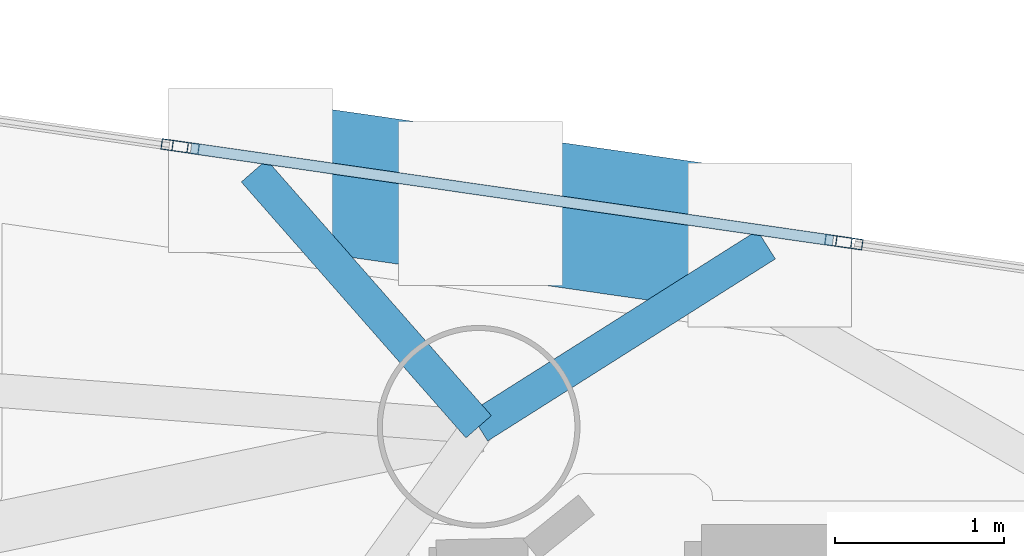
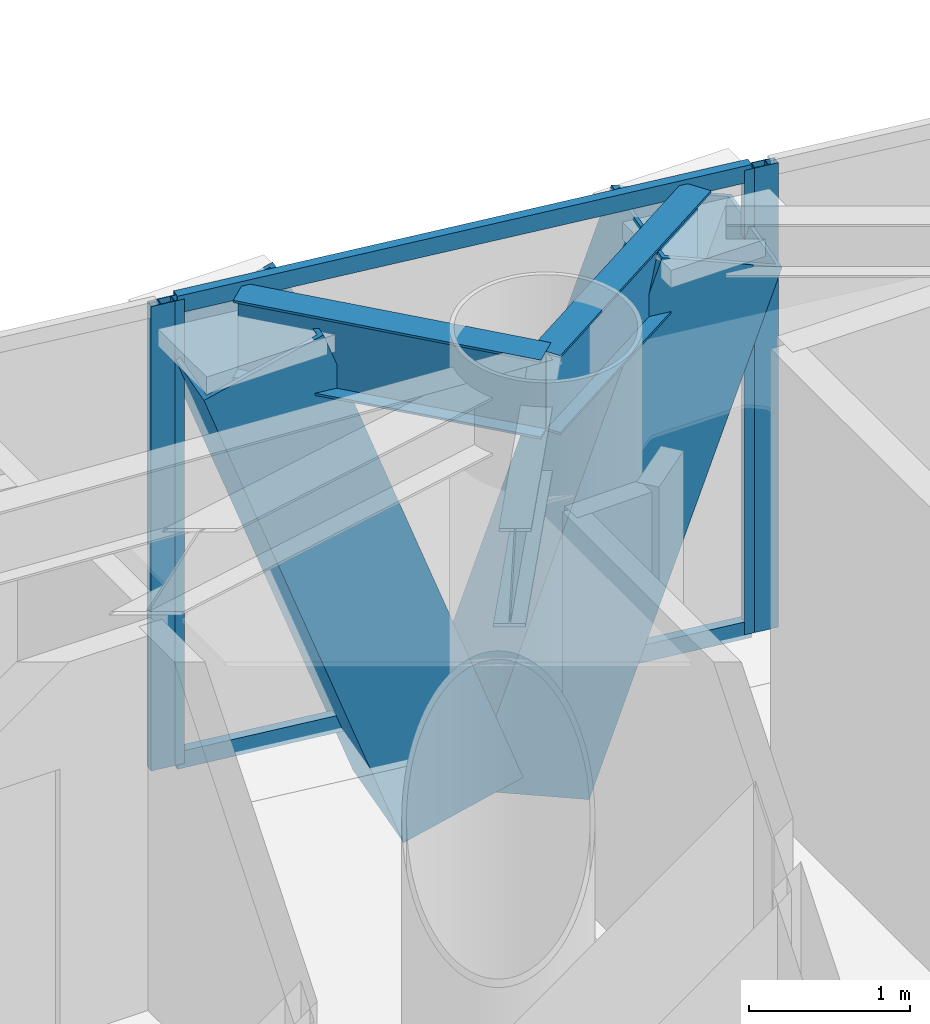
# One storey, part 13 of 23: 8 members, 2 beams, 3 elements without a shape of their own.
"""IFC4 building model written with IfcOpenShell, lengths in metres."""

import ifcopenshell
import ifcopenshell.guid

model = None  # the IFC model being written
_history = None  # IfcOwnerHistory: only IFC2X3 demands one
_inside = {}  # id of a spatial element -> (the spatial element, [elements in it])
_under = {}  # id of a project, library or spatial element -> (it, [spatial elements below it])
_declared = {}  # id of a project -> (the project, [libraries it declares])
_typed = {}  # id of a type object -> (the type object, [elements of that type])
_made_of = {}  # id of a material, layer set ... -> (it, [elements and type objects made of it])


def new_model(schema):
    """Start an empty IFC model of exactly this schema.

    Asked for "IFC4X3", IfcOpenShell would pick the latest addendum, in which some entities
    have other attributes; the version numbers below select the first issue.
    IFC2X3 requires an IfcOwnerHistory on every rooted entity: one is made here for all.
    """
    global model, _history
    if schema == "IFC4X3":
        model = ifcopenshell.file(schema_version=(4, 3, 0, 0))
    else:
        model = ifcopenshell.file(schema=schema)
    _inside.clear()
    _under.clear()
    _declared.clear()
    _typed.clear()
    _made_of.clear()
    _history = None
    if model.schema == "IFC2X3":
        org = make("IfcOrganization", Name="unknown")
        user = make(
            "IfcPersonAndOrganization",
            ThePerson=make("IfcPerson", FamilyName="unknown"),
            TheOrganization=org,
        )
        app = make(
            "IfcApplication",
            ApplicationDeveloper=org,
            Version="unknown",
            ApplicationFullName="unknown",
            ApplicationIdentifier="unknown",
        )
        _history = make(
            "IfcOwnerHistory",
            OwningUser=user,
            OwningApplication=app,
            ChangeAction="ADDED",
            CreationDate=0,
        )
    return model


def make(cls, **values):
    """One entity of the class cls with the attributes given. An attribute that is None is left unset."""
    return model.create_entity(
        cls, **{name: value for name, value in values.items() if value is not None}
    )


def rooted(cls, **values):
    """An entity with a GlobalId (a new one), such as an element, a storey or a relation."""
    return make(cls, GlobalId=ifcopenshell.guid.new(), OwnerHistory=_history, **values)


def si_unit(unit_type, name, prefix=None):
    """IfcSIUnit, for example si_unit("LENGTHUNIT", "METRE", prefix="MILLI")."""
    return make("IfcSIUnit", UnitType=unit_type, Prefix=prefix, Name=name)


def assignment(units):
    """IfcUnitAssignment: the units of a project."""
    return None if units is None else make("IfcUnitAssignment", Units=units)


def point(xyz):
    """IfcCartesianPoint."""
    return None if xyz is None else make("IfcCartesianPoint", Coordinates=xyz)


def direction(xyz):
    """IfcDirection."""
    return None if xyz is None else make("IfcDirection", DirectionRatios=xyz)


def frame(location, z_axis=None, x_axis=None):
    """IfcAxis2Placement3D, a coordinate frame: its origin and axes. An axis left out is left unset."""
    return make(
        "IfcAxis2Placement3D",
        Location=point(location),
        Axis=direction(z_axis),
        RefDirection=direction(x_axis),
    )


def frame_2d(location, x_axis=None):
    """IfcAxis2Placement2D, a coordinate frame in the plane: its origin and x axis."""
    return make(
        "IfcAxis2Placement2D", Location=point(location), RefDirection=direction(x_axis)
    )


def origin():
    """The frame at (0, 0, 0) with its axes left unset."""
    return frame((0.0, 0.0, 0.0))


def origin_2d():
    """The frame at (0, 0) in the plane with its x axis left unset."""
    return frame_2d((0.0, 0.0))


def place(relative_to, where):
    """IfcLocalPlacement: puts the frame where relative to a parent placement (None: the world)."""
    return make(
        "IfcLocalPlacement", PlacementRelTo=relative_to, RelativePlacement=where
    )


def context(
    kind, dimensions, precision=None, world=None, true_north=None, identifier=None
):
    """IfcGeometricRepresentationContext, for example the 3D "Model" context."""
    return make(
        "IfcGeometricRepresentationContext",
        ContextIdentifier=identifier,
        ContextType=kind,
        CoordinateSpaceDimension=dimensions,
        Precision=precision,
        WorldCoordinateSystem=world,
        TrueNorth=true_north,
    )


def subcontext(parent, identifier, kind, view, scale=None):
    """IfcGeometricRepresentationSubContext, for example "Body" below "Model"."""
    return make(
        "IfcGeometricRepresentationSubContext",
        ContextIdentifier=identifier,
        ContextType=kind,
        ParentContext=parent,
        TargetScale=scale,
        TargetView=view,
    )


def project(units=None, contexts=None):
    """IfcProject with its units and contexts."""
    return rooted(
        "IfcProject",
        Name="project",
        RepresentationContexts=contexts,
        UnitsInContext=assignment(units),
    )


def spatial(cls, under=None, at=None, **own):
    """A site, building, storey or space (cls), placed at a placement, below another one or the project."""
    s = rooted(cls, ObjectPlacement=at, **own)
    if under is not None:
        _under.setdefault(under.id(), (under, []))[1].append(s)
    return s


def profile(cls, at=None, kind="AREA", **sizes):
    """A parametric profile (cls). Its sizes go by their IFC names, for example OverallWidth=200.0."""
    return make(cls, ProfileType=kind, Position=at, **sizes)


def hollow_rectangle(**sizes):
    """IfcRectangleHollowProfileDef."""
    return profile("IfcRectangleHollowProfileDef", **sizes)


def i_section(**sizes):
    """IfcIShapeProfileDef."""
    return profile("IfcIShapeProfileDef", **sizes)


def extrude(swept, where, along, depth):
    """IfcExtrudedAreaSolid: the profile swept, set in the frame where, extruded along a direction by depth."""
    return make(
        "IfcExtrudedAreaSolid",
        SweptArea=swept,
        Position=where,
        ExtrudedDirection=direction(along),
        Depth=depth,
    )


def shape(context_of_items, identifier, shape_type, items):
    """IfcShapeRepresentation: the items that make up one representation, for example the "Body"."""
    return make(
        "IfcShapeRepresentation",
        ContextOfItems=context_of_items,
        RepresentationIdentifier=identifier,
        RepresentationType=shape_type,
        Items=items,
    )


def material(Name=None, Category=None):
    """IfcMaterial."""
    return make("IfcMaterial", Name=Name, Category=Category)


def layer(
    of_material, thickness, ventilated=None, Name=None, Category=None, Priority=None
):
    """IfcMaterialLayer: one layer of a wall or slab, of a material (None: an air gap)."""
    return make(
        "IfcMaterialLayer",
        Material=of_material,
        LayerThickness=thickness,
        IsVentilated=ventilated,
        Name=Name,
        Category=Category,
        Priority=Priority,
    )


def layer_set(layers, Name=None):
    """IfcMaterialLayerSet."""
    return make("IfcMaterialLayerSet", MaterialLayers=layers, LayerSetName=Name)


def material_profile(
    of_material, cross_section, Name=None, Category=None, Priority=None
):
    """IfcMaterialProfile: a cross section and its material."""
    return make(
        "IfcMaterialProfile",
        Name=Name,
        Material=of_material,
        Profile=cross_section,
        Priority=Priority,
        Category=Category,
    )


def profile_set(profiles, Name=None, composite=None):
    """IfcMaterialProfileSet."""
    return make(
        "IfcMaterialProfileSet",
        Name=Name,
        MaterialProfiles=profiles,
        CompositeProfile=composite,
    )


def made_of(thing, what):
    """Note that an element or type object is made of a material, layer set ...; save() writes the relation."""
    if what is not None:
        _made_of.setdefault(what.id(), (what, []))[1].append(thing)
    return thing


def type_object(cls, material=None, **own):
    """A type object (cls), such as IfcWallType, which elements share."""
    return made_of(rooted(cls, **own), material)


def element(
    cls,
    number,
    at=None,
    inside=None,
    cuts=None,
    type_object=None,
    material=None,
    context=None,
    identifier="Body",
    shape_type=None,
    held_by="IfcProductDefinitionShape",
    body=None,
    shapes=None,
    **own,
):
    """One element of the class cls, such as IfcWall. Its Tag is "e" and its number.

    at: its placement. inside: the storey or other place that contains it. cuts: it is an
    opening in that element (IfcRelVoidsElement). A single representation is given by context,
    identifier, shape_type and body (its items); several are given by shapes. held_by: the class
    of the entity that holds the representations. save() writes the other relations.
    """
    e = rooted(cls, Tag="e%d" % number, ObjectPlacement=at, **own)
    if body is not None:
        shapes = [shape(context, identifier, shape_type, body)]
    if shapes is not None:
        e.Representation = make(held_by, Representations=shapes)
    if inside is not None:
        _inside.setdefault(inside.id(), (inside, []))[1].append(e)
    if cuts is not None:
        rooted(
            "IfcRelVoidsElement", RelatingBuildingElement=cuts, RelatedOpeningElement=e
        )
    if type_object is not None:
        _typed.setdefault(type_object.id(), (type_object, []))[1].append(e)
    return made_of(e, material)


def aggregate(whole, parts):
    """IfcRelAggregates: a whole, such as a stair, and the parts it consists of."""
    return rooted("IfcRelAggregates", RelatingObject=whole, RelatedObjects=parts)


def save(model, path):
    """Write the relations noted so far, then the file.

    IfcRelAggregates (storeys below a building ...), IfcRelContainedInSpatialStructure (elements
    in a storey), IfcRelDefinesByType, IfcRelAssociatesMaterial and IfcRelDeclares: one each for
    every whole, place, type object, material and project.
    """
    for whole, parts in _under.values():
        aggregate(whole, parts)
    for where, things in _inside.values():
        rooted(
            "IfcRelContainedInSpatialStructure",
            RelatedElements=things,
            RelatingStructure=where,
        )
    for kind, things in _typed.values():
        rooted("IfcRelDefinesByType", RelatedObjects=things, RelatingType=kind)
    for what, things in _made_of.values():
        rooted("IfcRelAssociatesMaterial", RelatedObjects=things, RelatingMaterial=what)
    for by, libraries in _declared.values():
        rooted("IfcRelDeclares", RelatingContext=by, RelatedDefinitions=libraries)
    model.write(path)


model = new_model("IFC4")

# Units and contexts
model_context = context("Model", 3, precision=1e-05, world=origin(), true_north=direction((0.0, 1.0)))
body_context = subcontext(model_context, "Body", "Model", "MODEL_VIEW")
ifc_project = project(units=[si_unit("LENGTHUNIT", "METRE"), si_unit("AREAUNIT", "SQUARE_METRE"), si_unit("VOLUMEUNIT", "CUBIC_METRE"), si_unit("PLANEANGLEUNIT", "RADIAN"), si_unit("MASSUNIT", "GRAM", prefix="KILO")], contexts=[model_context])

# Site, building, storey
site_placement = place(None, origin())
site = spatial("IfcSite", under=ifc_project, at=site_placement, CompositionType="ELEMENT")
building_placement = place(site_placement, origin())
building = spatial("IfcBuilding", under=site, at=building_placement, Name="Qianvela Tower", CompositionType="ELEMENT")
storey_placement = place(building_placement, frame((0.0, 0.0, 215.10009765625)))
storey = spatial("IfcBuildingStorey", under=building, at=storey_placement, Name="L55", CompositionType="ELEMENT", Elevation=215.10009765625)

# Beams
ifc_material_1 = material(Name="Steel Q355B", Category="steel")
ifc_material_profile_1 = material_profile(ifc_material_1, i_section(OverallWidth=0.199951171875, OverallDepth=0.60009765625, WebThickness=0.010986328125, FlangeThickness=0.01708984375, at=origin_2d()), Name="HN600x200x11x17")
ifc_profile_set_1 = profile_set([ifc_material_profile_1], Name="Steel Q355B")
beam_type = type_object("IfcBeamType", Name="BM-HN600-GIRD", PredefinedType="BEAM", material=ifc_profile_set_1)
beam_1_placement = place(storey_placement, frame((40.131103515625, 35.9580078125, 3.218017578125), z_axis=(0.845005133316, 0.534758192709, 0.0), x_axis=(-0.534758192709, 0.845005133316, 0.0)))
element("IfcBeam", 1, at=beam_1_placement, inside=storey, type_object=beam_type, Name="L55 Mega-Brace Column Tie Bracket F1-1", PredefinedType="BEAM", context=body_context, shape_type="SweptSolid", body=[
    extrude(i_section(OverallWidth=0.199951171875, OverallDepth=0.60009765625, WebThickness=0.010986328125, FlangeThickness=0.01708984375, at=origin_2d()), origin(), (0.0, 0.0, 1.0), 2.01611328125),
])
beam_2_placement = place(storey_placement, frame((40.131103515625, 35.9580078125, 3.218017578125), z_axis=(-0.659789499889, 0.75145047464, 0.0), x_axis=(-0.75145047464, -0.659789499889, 0.0)))
element("IfcBeam", 2, at=beam_2_placement, inside=storey, type_object=beam_type, Name="L55 Mega-Brace Column Tie Bracket F1-2", PredefinedType="BEAM", context=body_context, shape_type="SweptSolid", body=[
    extrude(i_section(OverallWidth=0.199951171875, OverallDepth=0.60009765625, WebThickness=0.010986328125, FlangeThickness=0.01708984375, at=origin_2d()), origin(), (0.0, 0.0, 1.0), 2.016357421875),
])

# Curtain wall, members
ifc_material_2 = material(Name="Anodised Architectural Aluminium and Insulated Spandrel Panel", Category="aluminium")
ifc_layer_1 = layer(ifc_material_2, 0.179931640625)
ifc_layer_set_1 = layer_set([ifc_layer_1], Name="Anodised Architectural Aluminium and Insulated Spandrel Panel")
curtain_wall_type_1 = type_object("IfcCurtainWallType", Name="CW-BRACEBAY", PredefinedType="USERDEFINED", material=ifc_layer_set_1)
curtain_wall_1_placement = place(storey_placement, origin())
curtain_wall_1 = element("IfcCurtainWall", 3, at=curtain_wall_1_placement, inside=storey, type_object=curtain_wall_type_1, Name="L55 CW-BRACEBAY Curtain Wall 02B", ObjectType="CURTAIN_WALL_SYSTEM", PredefinedType="USERDEFINED")
ifc_material_3 = material(Name="Anodised Architectural Aluminium 6063-T6", Category="aluminium")
ifc_material_profile_2 = material_profile(ifc_material_3, hollow_rectangle(XDim=0.06494140625, YDim=0.159912109375, WallThickness=0.0048828125, at=origin_2d()), Name="ALU-MULL-65x160")
ifc_profile_set_2 = profile_set([ifc_material_profile_2], Name="Anodised Architectural Aluminium 6063-T6")
member_type_1 = type_object("IfcMemberType", Name="CW-BRACEBAY-MULL", PredefinedType="MULLION", material=ifc_profile_set_2)
member_1_placement = place(storey_placement, frame((42.26123046875, 37.0556640625, 0.0), z_axis=(0.0, 0.0, 1.0), x_axis=(-0.142517987944, -0.989792212089, 0.0)))
member_1 = element("IfcMember", 4, at=member_1_placement, type_object=member_type_1, Name="CW-9 mullion 1", PredefinedType="MULLION", context=body_context, shape_type="SweptSolid", body=[
    extrude(hollow_rectangle(XDim=0.06494140625, YDim=0.159912109375, WallThickness=0.0048828125, at=origin_2d()), origin(), (0.0, 0.0, 1.0), 3.52001953125),
])
member_2_placement = place(storey_placement, frame((38.39599609375, 37.612060546875, 0.0), z_axis=(0.0, 0.0, 1.0), x_axis=(-0.142517987944, -0.989792212089, 0.0)))
member_2 = element("IfcMember", 5, at=member_2_placement, type_object=member_type_1, Name="CW-9 mullion 2", PredefinedType="MULLION", context=body_context, shape_type="SweptSolid", body=[
    extrude(hollow_rectangle(XDim=0.06494140625, YDim=0.159912109375, WallThickness=0.0048828125, at=origin_2d()), origin(), (0.0, 0.0, 1.0), 3.52001953125),
])
ifc_material_4 = material(Name="Anodised Architectural Aluminium 6063-T6", Category="aluminium")
ifc_material_profile_3 = material_profile(ifc_material_4, hollow_rectangle(XDim=0.06494140625, YDim=0.1298828125, WallThickness=0.00439453125, at=origin_2d()), Name="ALU-TRAN-65x130")
ifc_profile_set_3 = profile_set([ifc_material_profile_3], Name="Anodised Architectural Aluminium 6063-T6")
member_type_2 = type_object("IfcMemberType", Name="CW-BRACEBAY-TRAN", PredefinedType="USERDEFINED", material=ifc_profile_set_3)
member_3_placement = place(storey_placement, frame((42.22900390625, 37.060302734375, 0.032470703125), z_axis=(-0.989797609006, 0.142480501142, 0.0), x_axis=(-0.142480501142, -0.989797609006, 0.0)))
member_3 = element("IfcMember", 6, at=member_3_placement, type_object=member_type_2, Name="CW-9 transom 1.1", ObjectType="TRANSOM", PredefinedType="USERDEFINED", context=body_context, shape_type="SweptSolid", body=[
    extrude(hollow_rectangle(XDim=0.06494140625, YDim=0.1298828125, WallThickness=0.00439453125, at=origin_2d()), origin(), (0.0, 0.0, 1.0), 3.83984375),
])
member_4_placement = place(storey_placement, frame((42.22900390625, 37.060302734375, 3.4873046875), z_axis=(-0.989797609006, 0.142480501142, 0.0), x_axis=(-0.142480501142, -0.989797609006, 0.0)))
member_4 = element("IfcMember", 7, at=member_4_placement, type_object=member_type_2, Name="CW-9 transom 1.2", ObjectType="TRANSOM", PredefinedType="USERDEFINED", context=body_context, shape_type="SweptSolid", body=[
    extrude(hollow_rectangle(XDim=0.06494140625, YDim=0.1298828125, WallThickness=0.00439453125, at=origin_2d()), origin(), (0.0, 0.0, 1.0), 3.83984375),
])
aggregate(curtain_wall_1, [member_1, member_2, member_3, member_4])

# Curtain wall, member
ifc_material_5 = material(Name="Anodised Architectural Aluminium and Low-E Glass", Category="aluminium")
ifc_layer_2 = layer(ifc_material_5, 0.159912109375)
ifc_layer_set_2 = layer_set([ifc_layer_2], Name="Anodised Architectural Aluminium and Low-E Glass")
curtain_wall_type_2 = type_object("IfcCurtainWallType", Name="CW-COLIV-Z56", PredefinedType="USERDEFINED", material=ifc_layer_set_2)
curtain_wall_2_placement = place(storey_placement, origin())
curtain_wall_2 = element("IfcCurtainWall", 8, at=curtain_wall_2_placement, inside=storey, type_object=curtain_wall_type_2, Name="L55 CW-COLIV-Z56 Curtain Wall 02A", ObjectType="CURTAIN_WALL_SYSTEM", PredefinedType="USERDEFINED")
ifc_material_6 = material(Name="Anodised Architectural Aluminium 6063-T6", Category="aluminium")
ifc_material_profile_4 = material_profile(ifc_material_6, hollow_rectangle(XDim=0.06494140625, YDim=0.159912109375, WallThickness=0.0048828125, at=origin_2d()), Name="ALU-MULL-65x160")
ifc_profile_set_4 = profile_set([ifc_material_profile_4], Name="Anodised Architectural Aluminium 6063-T6")
member_type_3 = type_object("IfcMemberType", Name="CW-COLIV-Z56-MULL", PredefinedType="MULLION", material=ifc_profile_set_4)
member_5_placement = place(storey_placement, frame((42.325439453125, 37.04638671875, 0.0), z_axis=(0.0, 0.0, 1.0), x_axis=(-0.142508103244, -0.989793635315, 0.0)))
member_5 = element("IfcMember", 9, at=member_5_placement, type_object=member_type_3, Name="CW-5 mullion 3", PredefinedType="MULLION", context=body_context, shape_type="SweptSolid", body=[
    extrude(hollow_rectangle(XDim=0.06494140625, YDim=0.159912109375, WallThickness=0.0048828125, at=origin_2d()), origin(), (0.0, 0.0, 1.0), 3.52001953125),
])
aggregate(curtain_wall_2, [member_5])

curtain_wall_3_placement = place(storey_placement, origin())
curtain_wall_3 = element("IfcCurtainWall", 10, at=curtain_wall_3_placement, inside=storey, type_object=curtain_wall_type_2, Name="L55 CW-COLIV-Z56 Curtain Wall 02C", ObjectType="CURTAIN_WALL_SYSTEM", PredefinedType="USERDEFINED")
member_6_placement = place(storey_placement, frame((38.33154296875, 37.621337890625, 0.0), z_axis=(0.0, 0.0, 1.0), x_axis=(-0.142508771551, -0.989793539093, 0.0)))
member_6 = element("IfcMember", 11, at=member_6_placement, type_object=member_type_3, Name="CW-5 mullion 1", PredefinedType="MULLION", context=body_context, shape_type="SweptSolid", body=[
    extrude(hollow_rectangle(XDim=0.06494140625, YDim=0.159912109375, WallThickness=0.0048828125, at=origin_2d()), origin(), (0.0, 0.0, 1.0), 3.52001953125),
])
aggregate(curtain_wall_3, [member_6])

# Members
ifc_material_7 = material(Name="Steel Q420GJC", Category="steel")
ifc_material_profile_5 = material_profile(ifc_material_7, hollow_rectangle(XDim=0.85009765625, YDim=0.85009765625, WallThickness=0.031982421875, at=origin_2d()), Name="MBOX-850x850x32")
ifc_profile_set_5 = profile_set([ifc_material_profile_5], Name="Steel Q420GJC")
member_type_4 = type_object("IfcMemberType", Name="MBR-MBRACE-850", PredefinedType="BRACE", material=ifc_profile_set_5)
member_7_placement = place(storey_placement, frame((40.5576171875, 37.22021484375, -0.482177734375), z_axis=(0.325897678344, -0.046975119379, 0.944237280248), x_axis=(0.142666262975, 0.989770850959, 0.0)))
element("IfcMember", 12, at=member_7_placement, inside=storey, type_object=member_type_4, Name="L55 Tier 9 Exterior Mega-Brace F1A", PredefinedType="BRACE", context=body_context, shape_type="SweptSolid", body=[
    extrude(hollow_rectangle(XDim=0.85009765625, YDim=0.85009765625, WallThickness=0.031982421875, at=origin_2d()), origin(), (0.0, 0.0, 1.0), 3.918701171875),
])
member_8_placement = place(storey_placement, frame((40.1220703125, 37.28271484375, -0.482177734375), z_axis=(-0.33589486873, 0.048410568664, 0.940654588041), x_axis=(-0.142650233886, -0.989773161271, 0.0)))
element("IfcMember", 13, at=member_8_placement, inside=storey, type_object=member_type_4, Name="L55 Tier 9 Exterior Mega-Brace F1B", PredefinedType="BRACE", context=body_context, shape_type="SweptSolid", body=[
    extrude(hollow_rectangle(XDim=0.85009765625, YDim=0.85009765625, WallThickness=0.031982421875, at=origin_2d()), origin(), (0.0, 0.0, 1.0), 3.93359375),
])

save(model, "model.ifc")
